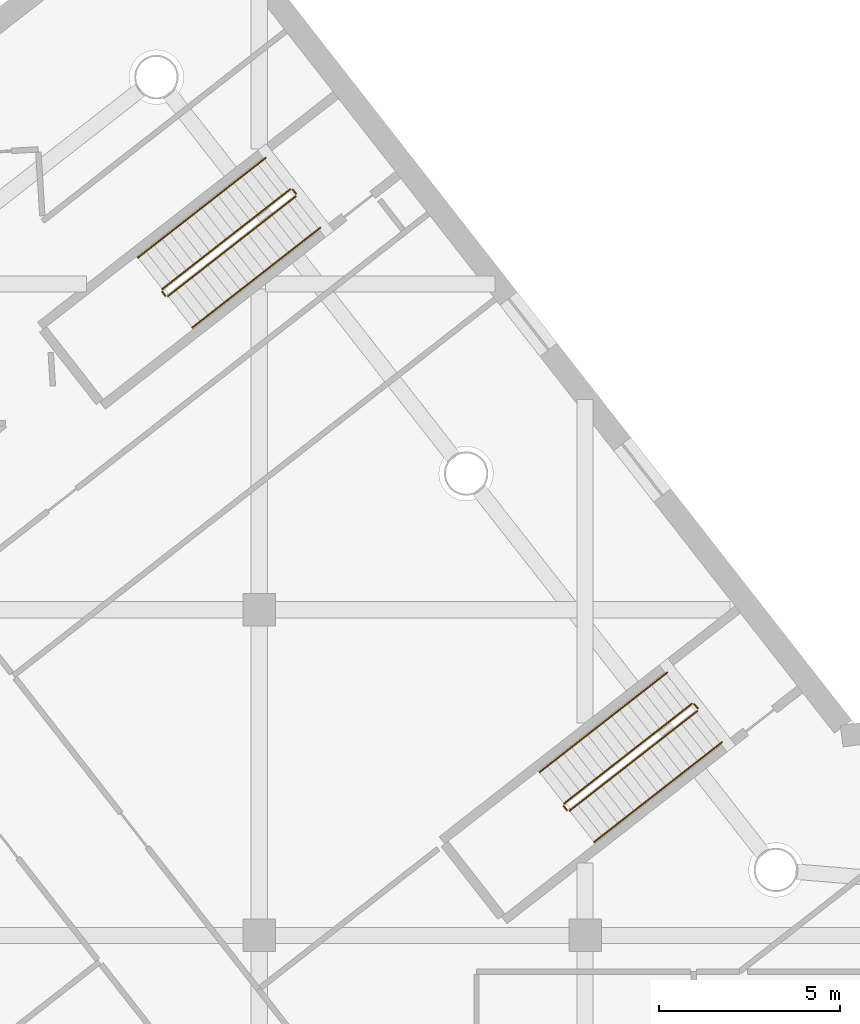
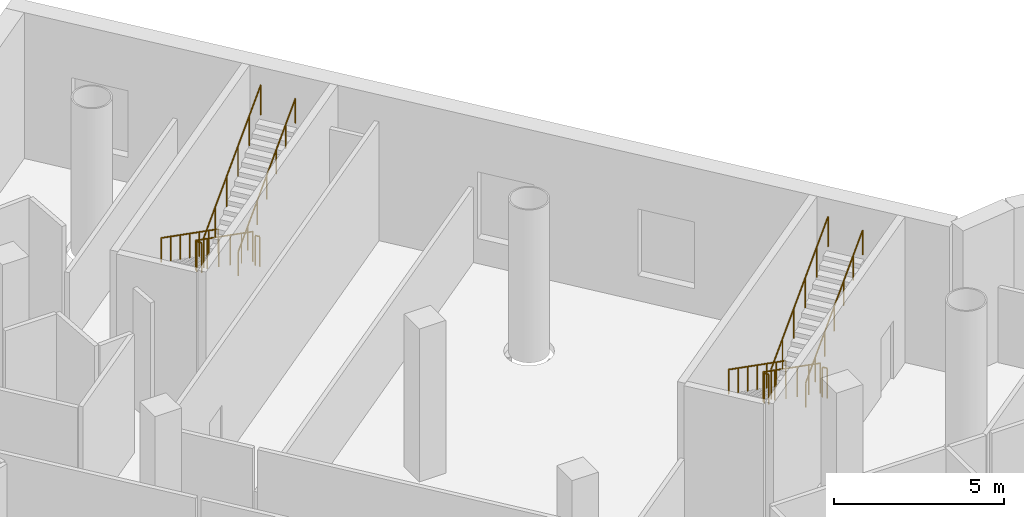
# One storey, part 23 of 23: 20 railings.
"""IFC4 building model written with IfcOpenShell, lengths in metres."""

import ifcopenshell
import ifcopenshell.guid

model = None  # the IFC model being written
_history = None  # IfcOwnerHistory: only IFC2X3 demands one
_inside = {}  # id of a spatial element -> (the spatial element, [elements in it])
_under = {}  # id of a project, library or spatial element -> (it, [spatial elements below it])
_declared = {}  # id of a project -> (the project, [libraries it declares])
_typed = {}  # id of a type object -> (the type object, [elements of that type])
_made_of = {}  # id of a material, layer set ... -> (it, [elements and type objects made of it])


def new_model(schema):
    """Start an empty IFC model of exactly this schema.

    Asked for "IFC4X3", IfcOpenShell would pick the latest addendum, in which some entities
    have other attributes; the version numbers below select the first issue.
    IFC2X3 requires an IfcOwnerHistory on every rooted entity: one is made here for all.
    """
    global model, _history
    if schema == "IFC4X3":
        model = ifcopenshell.file(schema_version=(4, 3, 0, 0))
    else:
        model = ifcopenshell.file(schema=schema)
    _inside.clear()
    _under.clear()
    _declared.clear()
    _typed.clear()
    _made_of.clear()
    _history = None
    if model.schema == "IFC2X3":
        org = make("IfcOrganization", Name="unknown")
        user = make(
            "IfcPersonAndOrganization",
            ThePerson=make("IfcPerson", FamilyName="unknown"),
            TheOrganization=org,
        )
        app = make(
            "IfcApplication",
            ApplicationDeveloper=org,
            Version="unknown",
            ApplicationFullName="unknown",
            ApplicationIdentifier="unknown",
        )
        _history = make(
            "IfcOwnerHistory",
            OwningUser=user,
            OwningApplication=app,
            ChangeAction="ADDED",
            CreationDate=0,
        )
    return model


def make(cls, **values):
    """One entity of the class cls with the attributes given. An attribute that is None is left unset."""
    return model.create_entity(
        cls, **{name: value for name, value in values.items() if value is not None}
    )


def rooted(cls, **values):
    """An entity with a GlobalId (a new one), such as an element, a storey or a relation."""
    return make(cls, GlobalId=ifcopenshell.guid.new(), OwnerHistory=_history, **values)


def si_unit(unit_type, name, prefix=None):
    """IfcSIUnit, for example si_unit("LENGTHUNIT", "METRE", prefix="MILLI")."""
    return make("IfcSIUnit", UnitType=unit_type, Prefix=prefix, Name=name)


def assignment(units):
    """IfcUnitAssignment: the units of a project."""
    return None if units is None else make("IfcUnitAssignment", Units=units)


def point(xyz):
    """IfcCartesianPoint."""
    return None if xyz is None else make("IfcCartesianPoint", Coordinates=xyz)


def direction(xyz):
    """IfcDirection."""
    return None if xyz is None else make("IfcDirection", DirectionRatios=xyz)


def frame(location, z_axis=None, x_axis=None):
    """IfcAxis2Placement3D, a coordinate frame: its origin and axes. An axis left out is left unset."""
    return make(
        "IfcAxis2Placement3D",
        Location=point(location),
        Axis=direction(z_axis),
        RefDirection=direction(x_axis),
    )


def frame_2d(location, x_axis=None):
    """IfcAxis2Placement2D, a coordinate frame in the plane: its origin and x axis."""
    return make(
        "IfcAxis2Placement2D", Location=point(location), RefDirection=direction(x_axis)
    )


def origin():
    """The frame at (0, 0, 0) with its axes left unset."""
    return frame((0.0, 0.0, 0.0))


def origin_2d():
    """The frame at (0, 0) in the plane with its x axis left unset."""
    return frame_2d((0.0, 0.0))


def place(relative_to, where):
    """IfcLocalPlacement: puts the frame where relative to a parent placement (None: the world)."""
    return make(
        "IfcLocalPlacement", PlacementRelTo=relative_to, RelativePlacement=where
    )


def context(
    kind, dimensions, precision=None, world=None, true_north=None, identifier=None
):
    """IfcGeometricRepresentationContext, for example the 3D "Model" context."""
    return make(
        "IfcGeometricRepresentationContext",
        ContextIdentifier=identifier,
        ContextType=kind,
        CoordinateSpaceDimension=dimensions,
        Precision=precision,
        WorldCoordinateSystem=world,
        TrueNorth=true_north,
    )


def subcontext(parent, identifier, kind, view, scale=None):
    """IfcGeometricRepresentationSubContext, for example "Body" below "Model"."""
    return make(
        "IfcGeometricRepresentationSubContext",
        ContextIdentifier=identifier,
        ContextType=kind,
        ParentContext=parent,
        TargetScale=scale,
        TargetView=view,
    )


def project(units=None, contexts=None):
    """IfcProject with its units and contexts."""
    return rooted(
        "IfcProject",
        Name="project",
        RepresentationContexts=contexts,
        UnitsInContext=assignment(units),
    )


def spatial(cls, under=None, at=None, **own):
    """A site, building, storey or space (cls), placed at a placement, below another one or the project."""
    s = rooted(cls, ObjectPlacement=at, **own)
    if under is not None:
        _under.setdefault(under.id(), (under, []))[1].append(s)
    return s


def profile(cls, at=None, kind="AREA", **sizes):
    """A parametric profile (cls). Its sizes go by their IFC names, for example OverallWidth=200.0."""
    return make(cls, ProfileType=kind, Position=at, **sizes)


def circle(**sizes):
    """IfcCircleProfileDef."""
    return profile("IfcCircleProfileDef", **sizes)


def extrude(swept, where, along, depth):
    """IfcExtrudedAreaSolid: the profile swept, set in the frame where, extruded along a direction by depth."""
    return make(
        "IfcExtrudedAreaSolid",
        SweptArea=swept,
        Position=where,
        ExtrudedDirection=direction(along),
        Depth=depth,
    )


def shape(context_of_items, identifier, shape_type, items):
    """IfcShapeRepresentation: the items that make up one representation, for example the "Body"."""
    return make(
        "IfcShapeRepresentation",
        ContextOfItems=context_of_items,
        RepresentationIdentifier=identifier,
        RepresentationType=shape_type,
        Items=items,
    )


def material(Name=None, Category=None):
    """IfcMaterial."""
    return make("IfcMaterial", Name=Name, Category=Category)


def made_of(thing, what):
    """Note that an element or type object is made of a material, layer set ...; save() writes the relation."""
    if what is not None:
        _made_of.setdefault(what.id(), (what, []))[1].append(thing)
    return thing


def type_object(cls, material=None, **own):
    """A type object (cls), such as IfcWallType, which elements share."""
    return made_of(rooted(cls, **own), material)


def element(
    cls,
    number,
    at=None,
    inside=None,
    cuts=None,
    type_object=None,
    material=None,
    context=None,
    identifier="Body",
    shape_type=None,
    held_by="IfcProductDefinitionShape",
    body=None,
    shapes=None,
    **own,
):
    """One element of the class cls, such as IfcWall. Its Tag is "e" and its number.

    at: its placement. inside: the storey or other place that contains it. cuts: it is an
    opening in that element (IfcRelVoidsElement). A single representation is given by context,
    identifier, shape_type and body (its items); several are given by shapes. held_by: the class
    of the entity that holds the representations. save() writes the other relations.
    """
    e = rooted(cls, Tag="e%d" % number, ObjectPlacement=at, **own)
    if body is not None:
        shapes = [shape(context, identifier, shape_type, body)]
    if shapes is not None:
        e.Representation = make(held_by, Representations=shapes)
    if inside is not None:
        _inside.setdefault(inside.id(), (inside, []))[1].append(e)
    if cuts is not None:
        rooted(
            "IfcRelVoidsElement", RelatingBuildingElement=cuts, RelatedOpeningElement=e
        )
    if type_object is not None:
        _typed.setdefault(type_object.id(), (type_object, []))[1].append(e)
    return made_of(e, material)


def aggregate(whole, parts):
    """IfcRelAggregates: a whole, such as a stair, and the parts it consists of."""
    return rooted("IfcRelAggregates", RelatingObject=whole, RelatedObjects=parts)


def save(model, path):
    """Write the relations noted so far, then the file.

    IfcRelAggregates (storeys below a building ...), IfcRelContainedInSpatialStructure (elements
    in a storey), IfcRelDefinesByType, IfcRelAssociatesMaterial and IfcRelDeclares: one each for
    every whole, place, type object, material and project.
    """
    for whole, parts in _under.values():
        aggregate(whole, parts)
    for where, things in _inside.values():
        rooted(
            "IfcRelContainedInSpatialStructure",
            RelatedElements=things,
            RelatingStructure=where,
        )
    for kind, things in _typed.values():
        rooted("IfcRelDefinesByType", RelatedObjects=things, RelatingType=kind)
    for what, things in _made_of.values():
        rooted("IfcRelAssociatesMaterial", RelatedObjects=things, RelatingMaterial=what)
    for by, libraries in _declared.values():
        rooted("IfcRelDeclares", RelatingContext=by, RelatedDefinitions=libraries)
    model.write(path)


model = new_model("IFC4")

# Units and contexts
model_context = context("Model", 3, precision=1e-05, world=origin(), true_north=direction((0.0, 1.0)))
body_context = subcontext(model_context, "Body", "Model", "MODEL_VIEW")
ifc_project = project(units=[si_unit("LENGTHUNIT", "METRE"), si_unit("AREAUNIT", "SQUARE_METRE"), si_unit("VOLUMEUNIT", "CUBIC_METRE"), si_unit("PLANEANGLEUNIT", "RADIAN"), si_unit("MASSUNIT", "GRAM", prefix="KILO")], contexts=[model_context])

# Site, building, storey
site_placement = place(None, origin())
site = spatial("IfcSite", under=ifc_project, at=site_placement, CompositionType="ELEMENT")
building_placement = place(site_placement, origin())
building = spatial("IfcBuilding", under=site, at=building_placement, Name="Tarsis Ring Headquarters", CompositionType="ELEMENT")
storey_placement = place(building_placement, frame((0.0, 0.0, 19.5)))
storey = spatial("IfcBuildingStorey", under=building, at=storey_placement, Name="L03", CompositionType="ELEMENT", Elevation=19.5)

# Railings
ifc_material = material(Name="Stainless steel", Category="steel")
railing_type_1 = type_object("IfcRailingType", Name="PO-RL-G", PredefinedType="GUARDRAIL", material=ifc_material)
railing_1_placement = place(storey_placement, frame((-6.04931640625, 33.3994140625, 0.161865234375)))
element("IfcRailing", 1, at=railing_1_placement, inside=storey, type_object=railing_type_1, Name="L03 PS3 stair guard 1", PredefinedType="GUARDRAIL", context=body_context, shape_type="SweptSolid", body=[
    extrude(circle(Radius=0.02392578125, at=origin_2d()), frame((0.0, 0.0, 1.076171875), z_axis=(-0.682566429488, -0.532793470816, 0.500234131974), x_axis=(0.615312980545, -0.788282903514, 0.0)), (0.0, 0.0, 1.0), 5.173828125),
    extrude(circle(Radius=0.02099609375, at=origin_2d()), origin(), (0.0, 0.0, 1.0), 1.052001953125),
    extrude(circle(Radius=0.02099609375, at=origin_2d()), frame((-0.706298828125, -0.55126953125, 0.517578125)), (0.0, 0.0, 1.0), 1.052001953125),
    extrude(circle(Radius=0.02099609375, at=origin_2d()), frame((-1.41259765625, -1.1025390625, 1.03515625)), (0.0, 0.0, 1.0), 1.052001953125),
    extrude(circle(Radius=0.02099609375, at=origin_2d()), frame((-2.118896484375, -1.654052734375, 1.552978515625)), (0.0, 0.0, 1.0), 1.052001953125),
    extrude(circle(Radius=0.02099609375, at=origin_2d()), frame((-2.8251953125, -2.205322265625, 2.070556640625)), (0.0, 0.0, 1.0), 1.052001953125),
    extrude(circle(Radius=0.02099609375, at=origin_2d()), frame((-3.531494140625, -2.756591796875, 2.588134765625)), (0.0, 0.0, 1.0), 1.052001953125),
])
railing_2_placement = place(storey_placement, frame((-9.589599609375, 30.57275390625, 2.75)))
element("IfcRailing", 2, at=railing_2_placement, inside=storey, type_object=railing_type_1, Name="L03 PS3 stair guard 2", PredefinedType="GUARDRAIL", context=body_context, shape_type="SweptSolid", body=[
    extrude(circle(Radius=0.02392578125, at=origin_2d()), frame((0.0, 0.0, 1.076171875), z_axis=(0.614728420867, -0.78873884688, 0.0), x_axis=(0.78873884688, 0.614728420867, 0.0)), (0.0, 0.0, 1.0), 0.150146484375),
    extrude(circle(Radius=0.02099609375, at=origin_2d()), origin(), (0.0, 0.0, 1.0), 1.052001953125),
    extrude(circle(Radius=0.02099609375, at=origin_2d()), frame((0.09228515625, -0.118408203125, 0.0)), (0.0, 0.0, 1.0), 1.052001953125),
])
railing_3_placement = place(storey_placement, frame((-9.427001953125, 30.44580078125, 2.911865234375)))
element("IfcRailing", 3, at=railing_3_placement, inside=storey, type_object=railing_type_1, Name="L03 PS3 stair guard 3", PredefinedType="GUARDRAIL", context=body_context, shape_type="SweptSolid", body=[
    extrude(circle(Radius=0.02392578125, at=origin_2d()), frame((0.0, 0.0, 1.076171875), z_axis=(0.682566429488, 0.532793470816, 0.500234131974), x_axis=(-0.615312980545, 0.788282903514, 0.0)), (0.0, 0.0, 1.0), 5.173828125),
    extrude(circle(Radius=0.02099609375, at=origin_2d()), origin(), (0.0, 0.0, 1.0), 1.052001953125),
    extrude(circle(Radius=0.02099609375, at=origin_2d()), frame((0.706298828125, 0.55126953125, 0.517578125)), (0.0, 0.0, 1.0), 1.052001953125),
    extrude(circle(Radius=0.02099609375, at=origin_2d()), frame((1.41259765625, 1.1025390625, 1.03515625)), (0.0, 0.0, 1.0), 1.052001953125),
    extrude(circle(Radius=0.02099609375, at=origin_2d()), frame((2.118896484375, 1.654052734375, 1.552978515625)), (0.0, 0.0, 1.0), 1.052001953125),
    extrude(circle(Radius=0.02099609375, at=origin_2d()), frame((2.8251953125, 2.205322265625, 2.070556640625)), (0.0, 0.0, 1.0), 1.052001953125),
    extrude(circle(Radius=0.02099609375, at=origin_2d()), frame((3.531494140625, 2.756591796875, 2.588134765625)), (0.0, 0.0, 1.0), 1.052001953125),
])
railing_4_placement = place(storey_placement, frame((-5.979248046875, 33.390869140625, 0.0)))
element("IfcRailing", 4, at=railing_4_placement, inside=storey, type_object=railing_type_1, Name="L03 PS3 stair guard 4", PredefinedType="GUARDRAIL", context=body_context, shape_type="SweptSolid", body=[
    extrude(circle(Radius=0.02392578125, at=origin_2d()), frame((0.0, 0.0, 1.076171875), z_axis=(0.615517636689, -0.788123111528, 0.0), x_axis=(0.788123111528, 0.615517636689, 0.0)), (0.0, 0.0, 1.0), 0.14990234375),
    extrude(circle(Radius=0.02099609375, at=origin_2d()), origin(), (0.0, 0.0, 1.0), 1.052001953125),
    extrude(circle(Radius=0.02099609375, at=origin_2d()), frame((0.09228515625, -0.1181640625, 0.0)), (0.0, 0.0, 1.0), 1.052001953125),
])
railing_5_placement = place(storey_placement, frame((-17.1494140625, 47.61962890625, 0.161865234375)))
element("IfcRailing", 5, at=railing_5_placement, inside=storey, type_object=railing_type_1, Name="L03 PS4 stair guard 1", PredefinedType="GUARDRAIL", context=body_context, shape_type="SweptSolid", body=[
    extrude(circle(Radius=0.02392578125, at=origin_2d()), frame((0.0, 0.0, 1.076171875), z_axis=(-0.682549268861, -0.532827261941, 0.500221555423), x_axis=(0.615346842033, -0.788256470953, 0.0)), (0.0, 0.0, 1.0), 5.174072265625),
    extrude(circle(Radius=0.02099609375, at=origin_2d()), origin(), (0.0, 0.0, 1.0), 1.052001953125),
    extrude(circle(Radius=0.02099609375, at=origin_2d()), frame((-0.706298828125, -0.55126953125, 0.517578125)), (0.0, 0.0, 1.0), 1.052001953125),
    extrude(circle(Radius=0.02099609375, at=origin_2d()), frame((-1.41259765625, -1.102783203125, 1.03515625)), (0.0, 0.0, 1.0), 1.052001953125),
    extrude(circle(Radius=0.02099609375, at=origin_2d()), frame((-2.118896484375, -1.654052734375, 1.552978515625)), (0.0, 0.0, 1.0), 1.052001953125),
    extrude(circle(Radius=0.02099609375, at=origin_2d()), frame((-2.8251953125, -2.20556640625, 2.070556640625)), (0.0, 0.0, 1.0), 1.052001953125),
    extrude(circle(Radius=0.02099609375, at=origin_2d()), frame((-3.531494140625, -2.7568359375, 2.588134765625)), (0.0, 0.0, 1.0), 1.052001953125),
])
railing_6_placement = place(storey_placement, frame((-20.689453125, 44.792724609375, 2.75)))
element("IfcRailing", 6, at=railing_6_placement, inside=storey, type_object=railing_type_1, Name="L03 PS4 stair guard 2", PredefinedType="GUARDRAIL", context=body_context, shape_type="SweptSolid", body=[
    extrude(circle(Radius=0.02392578125, at=origin_2d()), frame((0.0, 0.0, 1.076171875), z_axis=(0.615517636689, -0.788123111528, 0.0), x_axis=(0.788123111528, 0.615517636689, 0.0)), (0.0, 0.0, 1.0), 0.14990234375),
    extrude(circle(Radius=0.02099609375, at=origin_2d()), origin(), (0.0, 0.0, 1.0), 1.052001953125),
    extrude(circle(Radius=0.02099609375, at=origin_2d()), frame((0.09228515625, -0.1181640625, 0.0)), (0.0, 0.0, 1.0), 1.052001953125),
])
railing_7_placement = place(storey_placement, frame((-20.527099609375, 44.665771484375, 2.911865234375)))
element("IfcRailing", 7, at=railing_7_placement, inside=storey, type_object=railing_type_1, Name="L03 PS4 stair guard 3", PredefinedType="GUARDRAIL", context=body_context, shape_type="SweptSolid", body=[
    extrude(circle(Radius=0.02392578125, at=origin_2d()), frame((0.0, 0.0, 1.076171875), z_axis=(0.682566429488, 0.532793470816, 0.500234131974), x_axis=(-0.615312980545, 0.788282903514, 0.0)), (0.0, 0.0, 1.0), 5.173828125),
    extrude(circle(Radius=0.02099609375, at=origin_2d()), origin(), (0.0, 0.0, 1.0), 1.052001953125),
    extrude(circle(Radius=0.02099609375, at=origin_2d()), frame((0.706298828125, 0.55126953125, 0.517578125)), (0.0, 0.0, 1.0), 1.052001953125),
    extrude(circle(Radius=0.02099609375, at=origin_2d()), frame((1.41259765625, 1.1025390625, 1.03515625)), (0.0, 0.0, 1.0), 1.052001953125),
    extrude(circle(Radius=0.02099609375, at=origin_2d()), frame((2.118896484375, 1.654052734375, 1.552978515625)), (0.0, 0.0, 1.0), 1.052001953125),
    extrude(circle(Radius=0.02099609375, at=origin_2d()), frame((2.8251953125, 2.205322265625, 2.070556640625)), (0.0, 0.0, 1.0), 1.052001953125),
    extrude(circle(Radius=0.02099609375, at=origin_2d()), frame((3.531494140625, 2.756591796875, 2.588134765625)), (0.0, 0.0, 1.0), 1.052001953125),
])
railing_8_placement = place(storey_placement, frame((-17.0791015625, 47.61083984375, 0.0)))
element("IfcRailing", 8, at=railing_8_placement, inside=storey, type_object=railing_type_1, Name="L03 PS4 stair guard 4", PredefinedType="GUARDRAIL", context=body_context, shape_type="SweptSolid", body=[
    extrude(circle(Radius=0.02392578125, at=origin_2d()), frame((0.0, 0.0, 1.076171875), z_axis=(0.615517636689, -0.788123111528, 0.0), x_axis=(0.788123111528, 0.615517636689, 0.0)), (0.0, 0.0, 1.0), 0.14990234375),
    extrude(circle(Radius=0.02099609375, at=origin_2d()), origin(), (0.0, 0.0, 1.0), 1.052001953125),
    extrude(circle(Radius=0.02099609375, at=origin_2d()), frame((0.09228515625, -0.1181640625, 0.0)), (0.0, 0.0, 1.0), 1.052001953125),
])
railing_type_2 = type_object("IfcRailingType", Name="PO-RL-H", PredefinedType="HANDRAIL", material=ifc_material)
railing_9_placement = place(storey_placement, frame((-6.726318359375, 34.2666015625, 0.161865234375)))
element("IfcRailing", 9, at=railing_9_placement, inside=storey, type_object=railing_type_2, Name="L03 PS3 stair handrail 1", PredefinedType="HANDRAIL", context=body_context, shape_type="SweptSolid", body=[
    extrude(circle(Radius=0.02392578125, at=origin_2d()), frame((0.0, 0.0, 0.8759765625), z_axis=(-0.682531079358, -0.532886741901, 0.500183012523), x_axis=(0.615399709994, -0.7882151971, 0.0)), (0.0, 0.0, 1.0), 1.724365234375),
    extrude(circle(Radius=0.02099609375, at=origin_2d()), origin(), (0.0, 0.0, 1.0), 0.851806640625),
    extrude(circle(Radius=0.02099609375, at=origin_2d()), frame((-0.58837890625, -0.45947265625, 0.43115234375)), (0.0, 0.0, 1.0), 0.851806640625),
    extrude(circle(Radius=0.02099609375, at=origin_2d()), frame((-1.177001953125, -0.9189453125, 0.862548828125)), (0.0, 0.0, 1.0), 0.851806640625),
])
railing_10_placement = place(storey_placement, frame((-7.9033203125, 33.34765625, 1.0244140625)))
element("IfcRailing", 10, at=railing_10_placement, inside=storey, type_object=railing_type_2, Name="L03 PS3 stair handrail 1 bay 2", PredefinedType="HANDRAIL", context=body_context, shape_type="SweptSolid", body=[
    extrude(circle(Radius=0.02392578125, at=origin_2d()), frame((0.0, 0.0, 0.8759765625), z_axis=(-0.682609836864, -0.532696146022, 0.500278549041), x_axis=(0.615218814783, -0.78835639779, 0.0)), (0.0, 0.0, 1.0), 1.724609375),
    extrude(circle(Radius=0.02099609375, at=origin_2d()), frame((-0.588623046875, -0.45947265625, 0.431396484375)), (0.0, 0.0, 1.0), 0.851806640625),
    extrude(circle(Radius=0.02099609375, at=origin_2d()), frame((-1.17724609375, -0.918701171875, 0.86279296875)), (0.0, 0.0, 1.0), 0.851806640625),
])
railing_11_placement = place(storey_placement, frame((-9.08056640625, 32.428955078125, 1.88720703125)))
element("IfcRailing", 11, at=railing_11_placement, inside=storey, type_object=railing_type_2, Name="L03 PS3 stair handrail 1 bay 3", PredefinedType="HANDRAIL", context=body_context, shape_type="SweptSolid", body=[
    extrude(circle(Radius=0.02392578125, at=origin_2d()), frame((0.0, 0.0, 0.8759765625), z_axis=(-0.682558360719, -0.532797525871, 0.500240822643), x_axis=(0.615320410421, -0.788277103892, 0.0)), (0.0, 0.0, 1.0), 1.724853515625),
    extrude(circle(Radius=0.02099609375, at=origin_2d()), frame((-0.588623046875, -0.45947265625, 0.431396484375)), (0.0, 0.0, 1.0), 0.851806640625),
    extrude(circle(Radius=0.02099609375, at=origin_2d()), frame((-1.17724609375, -0.9189453125, 0.86279296875)), (0.0, 0.0, 1.0), 0.851806640625),
])
railing_12_placement = place(storey_placement, frame((-8.750244140625, 29.57861328125, 2.911865234375)))
element("IfcRailing", 12, at=railing_12_placement, inside=storey, type_object=railing_type_2, Name="L03 PS3 stair handrail 2", PredefinedType="HANDRAIL", context=body_context, shape_type="SweptSolid", body=[
    extrude(circle(Radius=0.02392578125, at=origin_2d()), frame((0.0, 0.0, 0.8759765625), z_axis=(0.682606690651, 0.532835251682, 0.500134682304), x_axis=(-0.615320410421, 0.788277103892, 0.0)), (0.0, 0.0, 1.0), 1.724609375),
    extrude(circle(Radius=0.02099609375, at=origin_2d()), origin(), (0.0, 0.0, 1.0), 0.851806640625),
    extrude(circle(Radius=0.02099609375, at=origin_2d()), frame((0.588623046875, 0.45947265625, 0.43115234375)), (0.0, 0.0, 1.0), 0.851806640625),
    extrude(circle(Radius=0.02099609375, at=origin_2d()), frame((1.17724609375, 0.9189453125, 0.862548828125)), (0.0, 0.0, 1.0), 0.851806640625),
])
railing_13_placement = place(storey_placement, frame((-7.572998046875, 30.49755859375, 3.7744140625)))
element("IfcRailing", 13, at=railing_13_placement, inside=storey, type_object=railing_type_2, Name="L03 PS3 stair handrail 2 bay 2", PredefinedType="HANDRAIL", context=body_context, shape_type="SweptSolid", body=[
    extrude(circle(Radius=0.02392578125, at=origin_2d()), frame((0.0, 0.0, 0.8759765625), z_axis=(0.682482745441, 0.532849005152, 0.500289156272), x_axis=(-0.615399709994, 0.7882151971, 0.0)), (0.0, 0.0, 1.0), 1.724609375),
    extrude(circle(Radius=0.02099609375, at=origin_2d()), frame((0.58837890625, 0.45947265625, 0.431396484375)), (0.0, 0.0, 1.0), 0.851806640625),
    extrude(circle(Radius=0.02099609375, at=origin_2d()), frame((1.177001953125, 0.9189453125, 0.86279296875)), (0.0, 0.0, 1.0), 0.851806640625),
])
railing_14_placement = place(storey_placement, frame((-6.39599609375, 31.41650390625, 4.63720703125)))
element("IfcRailing", 14, at=railing_14_placement, inside=storey, type_object=railing_type_2, Name="L03 PS3 stair handrail 2 bay 3", PredefinedType="HANDRAIL", context=body_context, shape_type="SweptSolid", body=[
    extrude(circle(Radius=0.02392578125, at=origin_2d()), frame((0.0, 0.0, 0.8759765625), z_axis=(0.682558360719, 0.532797525871, 0.500240822643), x_axis=(-0.615320410421, 0.788277103892, 0.0)), (0.0, 0.0, 1.0), 1.724853515625),
    extrude(circle(Radius=0.02099609375, at=origin_2d()), frame((0.588623046875, 0.45947265625, 0.431396484375)), (0.0, 0.0, 1.0), 0.851806640625),
    extrude(circle(Radius=0.02099609375, at=origin_2d()), frame((1.17724609375, 0.9189453125, 0.86279296875)), (0.0, 0.0, 1.0), 0.851806640625),
])
railing_15_placement = place(storey_placement, frame((-17.826171875, 48.486572265625, 0.161865234375)))
element("IfcRailing", 15, at=railing_15_placement, inside=storey, type_object=railing_type_2, Name="L03 PS4 stair handrail 1", PredefinedType="HANDRAIL", context=body_context, shape_type="SweptSolid", body=[
    extrude(circle(Radius=0.02392578125, at=origin_2d()), frame((0.0, 0.0, 0.8759765625), z_axis=(-0.682606690651, -0.532835251682, 0.500134682304), x_axis=(0.615320410421, -0.788277103892, 0.0)), (0.0, 0.0, 1.0), 1.724609375),
    extrude(circle(Radius=0.02099609375, at=origin_2d()), origin(), (0.0, 0.0, 1.0), 0.851806640625),
    extrude(circle(Radius=0.02099609375, at=origin_2d()), frame((-0.588623046875, -0.45947265625, 0.43115234375)), (0.0, 0.0, 1.0), 0.851806640625),
    extrude(circle(Radius=0.02099609375, at=origin_2d()), frame((-1.17724609375, -0.9189453125, 0.862548828125)), (0.0, 0.0, 1.0), 0.851806640625),
])
railing_16_placement = place(storey_placement, frame((-19.00341796875, 47.567626953125, 1.0244140625)))
element("IfcRailing", 16, at=railing_16_placement, inside=storey, type_object=railing_type_2, Name="L03 PS4 stair handrail 1 bay 2", PredefinedType="HANDRAIL", context=body_context, shape_type="SweptSolid", body=[
    extrude(circle(Radius=0.02392578125, at=origin_2d()), frame((0.0, 0.0, 0.8759765625), z_axis=(-0.682609836864, -0.532696146022, 0.500278549041), x_axis=(0.615218814783, -0.78835639779, 0.0)), (0.0, 0.0, 1.0), 1.724609375),
    extrude(circle(Radius=0.02099609375, at=origin_2d()), frame((-0.588623046875, -0.45947265625, 0.431396484375)), (0.0, 0.0, 1.0), 0.851806640625),
    extrude(circle(Radius=0.02099609375, at=origin_2d()), frame((-1.17724609375, -0.918701171875, 0.86279296875)), (0.0, 0.0, 1.0), 0.851806640625),
])
railing_17_placement = place(storey_placement, frame((-20.1806640625, 46.64892578125, 1.88720703125)))
element("IfcRailing", 17, at=railing_17_placement, inside=storey, type_object=railing_type_2, Name="L03 PS4 stair handrail 1 bay 3", PredefinedType="HANDRAIL", context=body_context, shape_type="SweptSolid", body=[
    extrude(circle(Radius=0.02392578125, at=origin_2d()), frame((0.0, 0.0, 0.8759765625), z_axis=(-0.682482745441, -0.532849005152, 0.500289156272), x_axis=(0.615399709994, -0.7882151971, 0.0)), (0.0, 0.0, 1.0), 1.724609375),
    extrude(circle(Radius=0.02099609375, at=origin_2d()), frame((-0.58837890625, -0.45947265625, 0.431396484375)), (0.0, 0.0, 1.0), 0.851806640625),
    extrude(circle(Radius=0.02099609375, at=origin_2d()), frame((-1.177001953125, -0.9189453125, 0.86279296875)), (0.0, 0.0, 1.0), 0.851806640625),
])
railing_18_placement = place(storey_placement, frame((-19.85009765625, 43.798583984375, 2.911865234375)))
element("IfcRailing", 18, at=railing_18_placement, inside=storey, type_object=railing_type_2, Name="L03 PS4 stair handrail 2", PredefinedType="HANDRAIL", context=body_context, shape_type="SweptSolid", body=[
    extrude(circle(Radius=0.02392578125, at=origin_2d()), frame((0.0, 0.0, 0.8759765625), z_axis=(0.682531079358, 0.532886741901, 0.500183012523), x_axis=(-0.615399709994, 0.7882151971, 0.0)), (0.0, 0.0, 1.0), 1.724365234375),
    extrude(circle(Radius=0.02099609375, at=origin_2d()), origin(), (0.0, 0.0, 1.0), 0.851806640625),
    extrude(circle(Radius=0.02099609375, at=origin_2d()), frame((0.58837890625, 0.45947265625, 0.43115234375)), (0.0, 0.0, 1.0), 0.851806640625),
    extrude(circle(Radius=0.02099609375, at=origin_2d()), frame((1.177001953125, 0.9189453125, 0.862548828125)), (0.0, 0.0, 1.0), 0.851806640625),
])
for number, where, name in (
    (19, (-18.673095703125, 44.717529296875, 3.7744140625), "L03 PS4 stair handrail 2 bay 2"),
    (20, (-17.495849609375, 45.636474609375, 4.63720703125), "L03 PS4 stair handrail 2 bay 3"),
):
    element("IfcRailing", number, at=place(storey_placement, frame(where)), inside=storey, type_object=railing_type_2, Name=name, PredefinedType="HANDRAIL", context=body_context, shape_type="SweptSolid", body=[
        extrude(circle(Radius=0.02392578125, at=origin_2d()), frame((0.0, 0.0, 0.8759765625), z_axis=(0.682558360719, 0.532797525871, 0.500240822643), x_axis=(-0.615320410421, 0.788277103892, 0.0)), (0.0, 0.0, 1.0), 1.724853515625),
        extrude(circle(Radius=0.02099609375, at=origin_2d()), frame((0.588623046875, 0.45947265625, 0.431396484375)), (0.0, 0.0, 1.0), 0.851806640625),
        extrude(circle(Radius=0.02099609375, at=origin_2d()), frame((1.17724609375, 0.9189453125, 0.86279296875)), (0.0, 0.0, 1.0), 0.851806640625),
    ])

save(model, "model.ifc")
